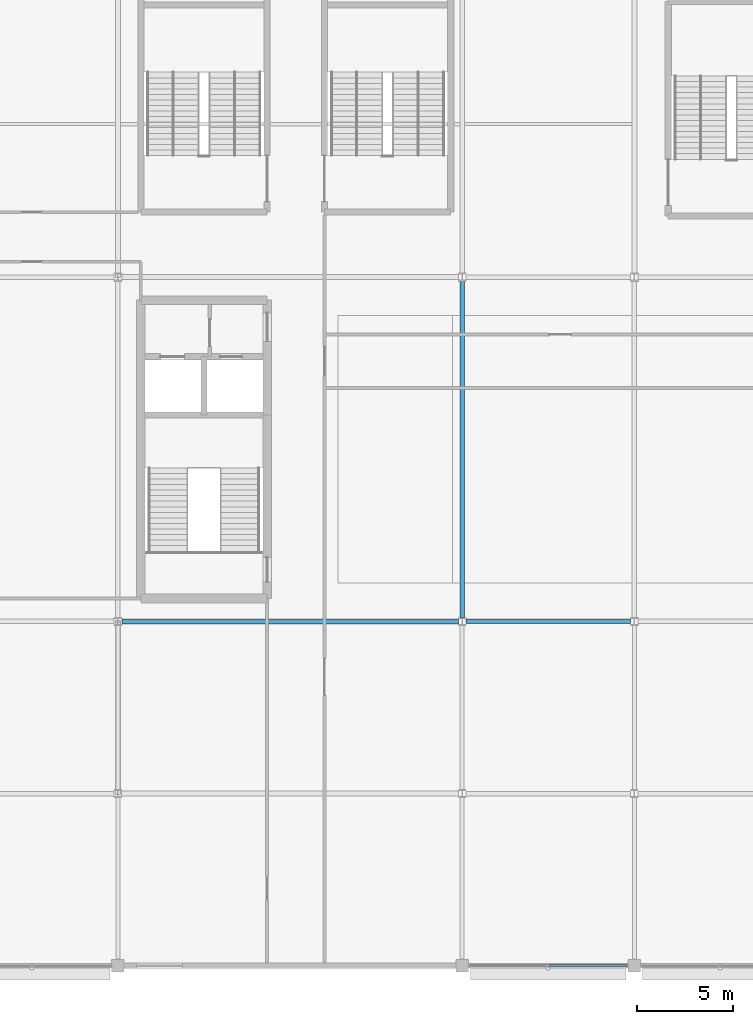
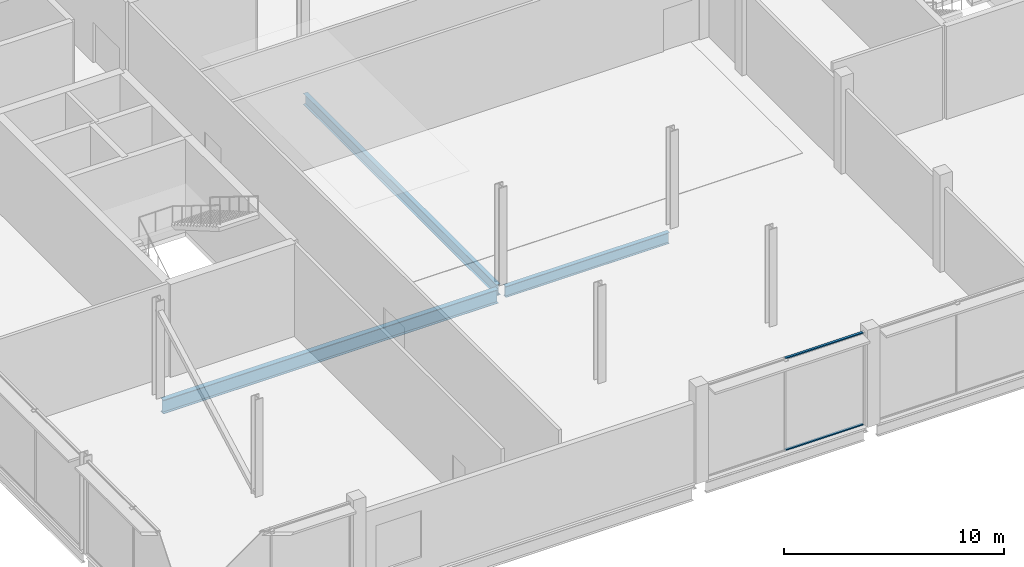
# One storey, part 14 of 113: 3 beams, 2 members, 1 element without a shape of its own.
"""IFC4 building model written with IfcOpenShell, lengths in metres."""

from ifc_helpers import new_model, si_unit, direction, frame, origin, origin_2d, place, context, subcontext, project, spatial, rectangle, i_section, extrude, material, layer, layer_set, material_profile, profile_set, type_object, element, aggregate, save


model = new_model("IFC4")

# Units and contexts
model_context = context("Model", 3, precision=1e-05, world=origin(), true_north=direction((0.0, 1.0)))
body_context = subcontext(model_context, "Body", "Model", "MODEL_VIEW")
ifc_project = project(units=[si_unit("LENGTHUNIT", "METRE"), si_unit("AREAUNIT", "SQUARE_METRE"), si_unit("VOLUMEUNIT", "CUBIC_METRE"), si_unit("PLANEANGLEUNIT", "RADIAN"), si_unit("MASSUNIT", "GRAM", prefix="KILO")], contexts=[model_context])

# Site, building, storey
site_placement = place(None, origin())
site = spatial("IfcSite", under=ifc_project, at=site_placement, CompositionType="ELEMENT")
building_placement = place(site_placement, origin())
building = spatial("IfcBuilding", under=site, at=building_placement, Name="Kisiwana Market Hall", CompositionType="ELEMENT")
storey_placement = place(building_placement, frame((0.0, 0.0, 6.0)))
storey = spatial("IfcBuildingStorey", under=building, at=storey_placement, Name="L01", CompositionType="ELEMENT", Elevation=6.0)

# Beams
ifc_material_1 = material(Name="Steel S355", Category="steel")
ifc_material_profile_1 = material_profile(ifc_material_1, i_section(OverallWidth=0.22900390625, OverallDepth=0.6123046875, WebThickness=0.011962890625, FlangeThickness=0.01953125, at=origin_2d()), Name="UB 610x229x125")
ifc_profile_set_1 = profile_set([ifc_material_profile_1], Name="Steel S355")
beam_type_1 = type_object("IfcBeamType", Name="BM-GIRD-UB610H", PredefinedType="BEAM", material=ifc_profile_set_1)
beam_1_placement = place(storey_placement, frame((27.201904296875, 18.0, -0.55615234375), z_axis=(1.0, 0.0, 0.0), x_axis=(0.0, 1.0, 0.0)))
element("IfcBeam", 1, at=beam_1_placement, inside=storey, type_object=beam_type_1, Name="Floor beam B-0473", PredefinedType="BEAM", context=body_context, shape_type="SweptSolid", body=[
    extrude(i_section(OverallWidth=0.22900390625, OverallDepth=0.6123046875, WebThickness=0.011962890625, FlangeThickness=0.01953125, at=origin_2d()), origin(), (0.0, 0.0, 1.0), 8.59619140625),
])
beam_2_placement = place(storey_placement, frame((27.0, 18.21337890625, -0.55615234375), z_axis=(0.0, 1.0, 0.0), x_axis=(-1.0, 0.0, 0.0)))
element("IfcBeam", 2, at=beam_2_placement, inside=storey, type_object=beam_type_1, Name="Primary girder B-0341", PredefinedType="BEAM", context=body_context, shape_type="SweptSolid", body=[
    extrude(i_section(OverallWidth=0.22900390625, OverallDepth=0.6123046875, WebThickness=0.011962890625, FlangeThickness=0.01953125, at=origin_2d()), origin(), (0.0, 0.0, 1.0), 17.5732421875),
])
ifc_material_2 = material(Name="Steel S355", Category="steel")
ifc_material_profile_2 = material_profile(ifc_material_2, i_section(OverallWidth=0.2666015625, OverallDepth=0.76220703125, WebThickness=0.014404296875, FlangeThickness=0.021484375, at=origin_2d()), Name="UB 762x267x173")
ifc_profile_set_2 = profile_set([ifc_material_profile_2], Name="Steel S355")
beam_type_2 = type_object("IfcBeamType", Name="BM-GIRD-UB762", PredefinedType="BEAM", material=ifc_profile_set_2)
beam_3_placement = place(storey_placement, frame((9.201904296875, 18.0, -0.631103515625), z_axis=(1.0, 0.0, 0.0), x_axis=(0.0, 1.0, 0.0)))
element("IfcBeam", 3, at=beam_3_placement, inside=storey, type_object=beam_type_2, Name="Floor beam B-0472", PredefinedType="BEAM", context=body_context, shape_type="SweptSolid", body=[
    extrude(i_section(OverallWidth=0.2666015625, OverallDepth=0.76220703125, WebThickness=0.014404296875, FlangeThickness=0.021484375, at=origin_2d()), origin(), (0.0, 0.0, 1.0), 17.59619140625),
])

# Curtain wall, members
ifc_material_3 = material(Name="Double-glazed solar-control low-E IGU", Category="glass")
ifc_layer = layer(ifc_material_3, 0.159912109375)
ifc_layer_set = layer_set([ifc_layer], Name="CW-FC-S-7600")
curtain_wall_type = type_object("IfcCurtainWallType", Name="CW-FC-S-7600", PredefinedType="USERDEFINED", material=ifc_layer_set)
curtain_wall_placement = place(storey_placement, origin())
curtain_wall = element("IfcCurtainWall", 4, at=curtain_wall_placement, inside=storey, type_object=curtain_wall_type, Name="Unitised curtain wall CW-006 (L01)", ObjectType="UNITISED CURTAIN WALL", PredefinedType="USERDEFINED")
ifc_material_4 = material(Name="Aluminium alloy 6063-T6", Category="aluminium")
ifc_material_profile_3 = material_profile(ifc_material_4, rectangle(XDim=0.1201171875, YDim=0.06005859375, at=origin_2d()), Name="ALU TRANSOM 60x120")
ifc_profile_set_3 = profile_set([ifc_material_profile_3], Name="Aluminium alloy 6063-T6")
member_type = type_object("IfcMemberType", Name="CW-TRAN-60x120", PredefinedType="USERDEFINED", material=ifc_profile_set_3)
member_1_placement = place(storey_placement, frame((31.530029296875, 0.0, 0.030029296875), z_axis=(1.0, 0.0, 0.0), x_axis=(0.0, 1.0, 0.0)))
member_1 = element("IfcMember", 5, at=member_1_placement, type_object=member_type, Name="CW-006 transom 2.1", ObjectType="TRANSOM", PredefinedType="USERDEFINED", context=body_context, shape_type="SweptSolid", body=[
    extrude(rectangle(XDim=0.1201171875, YDim=0.06005859375, at=origin_2d()), origin(), (0.0, 0.0, 1.0), 4.0849609375),
])
member_2_placement = place(storey_placement, frame((31.530029296875, 0.0, 5.1201171875), z_axis=(1.0, 0.0, 0.0), x_axis=(0.0, 1.0, 0.0)))
member_2 = element("IfcMember", 6, at=member_2_placement, type_object=member_type, Name="CW-006 transom 2.2", ObjectType="TRANSOM", PredefinedType="USERDEFINED", context=body_context, shape_type="SweptSolid", body=[
    extrude(rectangle(XDim=0.1201171875, YDim=0.06005859375, at=origin_2d()), origin(), (0.0, 0.0, 1.0), 4.0849609375),
])
aggregate(curtain_wall, [member_1, member_2])

save(model, "model.ifc")
